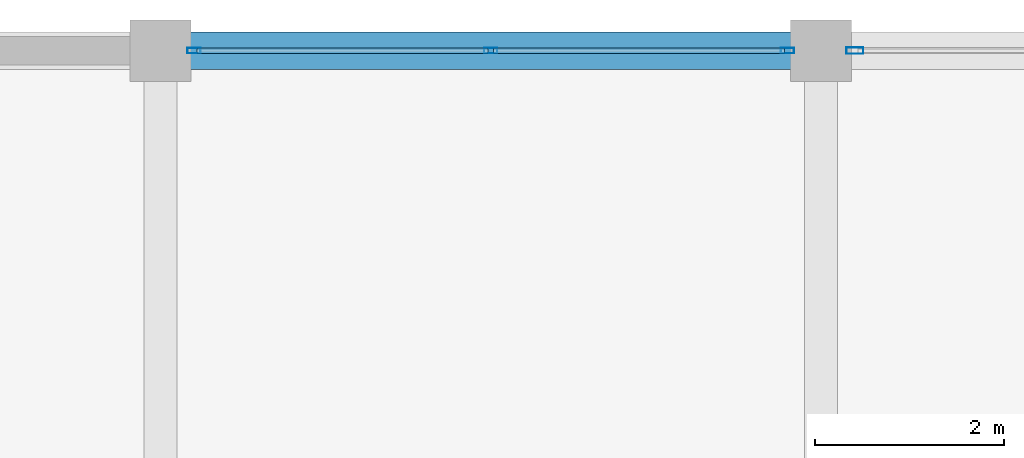
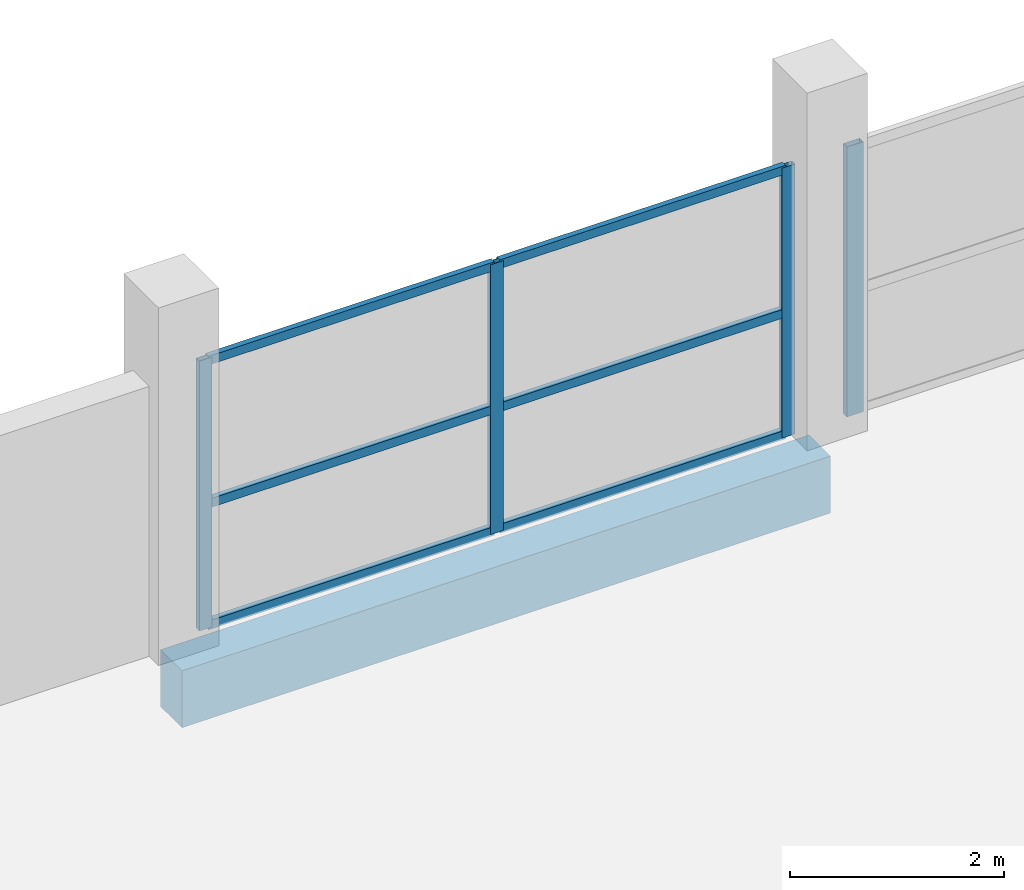
# One storey, part 37 of 53: 10 members, 1 beam, 2 elements without a shape of their own.
"""IFC4 building model written with IfcOpenShell, lengths in metres."""

from ifc_helpers import new_model, si_unit, direction, frame, origin, origin_2d, place, context, subcontext, project, spatial, rectangle, hollow_rectangle, extrude, material, layer, layer_set, material_profile, profile_set, type_object, element, aggregate, save


model = new_model("IFC4")

# Units and contexts
model_context = context("Model", 3, precision=1e-05, world=origin(), true_north=direction((0.0, 1.0)))
body_context = subcontext(model_context, "Body", "Model", "MODEL_VIEW")
ifc_project = project(units=[si_unit("LENGTHUNIT", "METRE"), si_unit("AREAUNIT", "SQUARE_METRE"), si_unit("VOLUMEUNIT", "CUBIC_METRE"), si_unit("PLANEANGLEUNIT", "RADIAN"), si_unit("MASSUNIT", "GRAM", prefix="KILO")], contexts=[model_context])

# Site, building, storey
site_placement = place(None, origin())
site = spatial("IfcSite", under=ifc_project, at=site_placement, CompositionType="ELEMENT")
building_placement = place(site_placement, origin())
building = spatial("IfcBuilding", under=site, at=building_placement, Name="Sillaruma Civic Art Gallery", CompositionType="ELEMENT")
storey_placement = place(building_placement, frame((0.0, 0.0, 70.3798828125)))
storey = spatial("IfcBuildingStorey", under=building, at=storey_placement, Name="L14", CompositionType="ELEMENT", Elevation=70.3798828125)

# Beam
ifc_material_1 = material(Name="Concrete H35 (35 MPa)", Category="concrete")
ifc_material_profile_1 = material_profile(ifc_material_1, rectangle(XDim=0.39990234375, YDim=0.64990234375, at=origin_2d()), Name="RCB400x650")
ifc_profile_set_1 = profile_set([ifc_material_profile_1], Name="Concrete H35 (35 MPa)")
beam_type = type_object("IfcBeamType", Name="BM-SPANDREL-RCB400x650", PredefinedType="SPANDREL", material=ifc_profile_set_1)
beam_placement = place(storey_placement, frame((70.0, 99.0, -0.574951171875), z_axis=(1.0, 0.0, 0.0), x_axis=(0.0, 1.0, 0.0)))
element("IfcBeam", 1, at=beam_placement, inside=storey, type_object=beam_type, Name="Beam BS-02 (L13:11:G-H)", PredefinedType="SPANDREL", context=body_context, shape_type="SweptSolid", body=[
    extrude(rectangle(XDim=0.39990234375, YDim=0.64990234375, at=origin_2d()), origin(), (0.0, 0.0, 1.0), 7.0),
])

# Curtain wall, members
ifc_material_2 = material(Name="Thermally Broken Extruded Aluminium 6063-T6", Category="aluminium")
ifc_layer_1 = layer(ifc_material_2, 0.139892578125, Name="Thermally Broken Extruded Aluminium 6063-T6")
ifc_layer_set_1 = layer_set([ifc_layer_1], Name="Thermally Broken Extruded Aluminium 6063-T6")
curtain_wall_type_1 = type_object("IfcCurtainWallType", Name="CW-UNI-106", PredefinedType="NOTDEFINED", material=ifc_layer_set_1)
curtain_wall_1_placement = place(storey_placement, origin())
curtain_wall_1 = element("IfcCurtainWall", 2, at=curtain_wall_1_placement, inside=storey, type_object=curtain_wall_type_1, Name="Unitised Curtain Wall CW-106 (CW-L14-WBN-2)", PredefinedType="NOTDEFINED")
ifc_material_profile_2 = material_profile(ifc_material_2, hollow_rectangle(XDim=0.06005859375, YDim=0.139892578125, WallThickness=0.00341796875, at=origin_2d()), Name="CWM60x140")
ifc_profile_set_2 = profile_set([ifc_material_profile_2], Name="Thermally Broken Extruded Aluminium 6063-T6")
member_type_1 = type_object("IfcMemberType", Name="MEM-MUL-CWM60x140", PredefinedType="MULLION", material=ifc_profile_set_2)
member_1_placement = place(storey_placement, frame((70.35498046875, 99.0, 0.0), z_axis=(0.0, 0.0, 1.0), x_axis=(0.0, 1.0, 0.0)))
member_1 = element("IfcMember", 3, at=member_1_placement, type_object=member_type_1, Name="CW-106 mullion 1", PredefinedType="MULLION", context=body_context, shape_type="SweptSolid", body=[
    extrude(hollow_rectangle(XDim=0.06005859375, YDim=0.139892578125, WallThickness=0.00341796875, at=origin_2d()), origin(), (0.0, 0.0, 1.0), 3.080078125),
])
member_2_placement = place(storey_placement, frame((73.5, 99.0, 0.0), z_axis=(0.0, 0.0, 1.0), x_axis=(0.0, 1.0, 0.0)))
member_2 = element("IfcMember", 4, at=member_2_placement, type_object=member_type_1, Name="CW-106 mullion 2", PredefinedType="MULLION", context=body_context, shape_type="SweptSolid", body=[
    extrude(hollow_rectangle(XDim=0.06005859375, YDim=0.139892578125, WallThickness=0.00341796875, at=origin_2d()), origin(), (0.0, 0.0, 1.0), 3.080078125),
])
member_3_placement = place(storey_placement, frame((76.64501953125, 99.0, 0.0), z_axis=(0.0, 0.0, 1.0), x_axis=(0.0, 1.0, 0.0)))
member_3 = element("IfcMember", 5, at=member_3_placement, type_object=member_type_1, Name="CW-106 mullion 3", PredefinedType="MULLION", context=body_context, shape_type="SweptSolid", body=[
    extrude(hollow_rectangle(XDim=0.06005859375, YDim=0.139892578125, WallThickness=0.00341796875, at=origin_2d()), origin(), (0.0, 0.0, 1.0), 3.080078125),
])

# Curtain wall, member
ifc_layer_2 = layer(ifc_material_2, 0.179931640625, Name="Thermally Broken Extruded Aluminium 6063-T6")
ifc_layer_set_2 = layer_set([ifc_layer_2], Name="Thermally Broken Extruded Aluminium 6063-T6")
curtain_wall_type_2 = type_object("IfcCurtainWallType", Name="CW-UNI-109", PredefinedType="NOTDEFINED", material=ifc_layer_set_2)
curtain_wall_2_placement = place(storey_placement, origin())
curtain_wall_2 = element("IfcCurtainWall", 6, at=curtain_wall_2_placement, inside=storey, type_object=curtain_wall_type_2, Name="Unitised Curtain Wall CW-109 (CW-L14-WBN-3)", PredefinedType="NOTDEFINED")
ifc_material_profile_3 = material_profile(ifc_material_2, hollow_rectangle(XDim=0.070068359375, YDim=0.179931640625, WallThickness=0.00390625, at=origin_2d()), Name="CWM70x180")
ifc_profile_set_3 = profile_set([ifc_material_profile_3], Name="Thermally Broken Extruded Aluminium 6063-T6")
member_type_2 = type_object("IfcMemberType", Name="MEM-MUL-CWM70x180", PredefinedType="MULLION", material=ifc_profile_set_3)
member_4_placement = place(storey_placement, frame((77.360107421875, 99.0, 0.0), z_axis=(0.0, 0.0, 1.0), x_axis=(0.0, 1.0, 0.0)))
member_4 = element("IfcMember", 7, at=member_4_placement, type_object=member_type_2, Name="CW-109 mullion 1", PredefinedType="MULLION", context=body_context, shape_type="SweptSolid", body=[
    extrude(hollow_rectangle(XDim=0.070068359375, YDim=0.179931640625, WallThickness=0.00390625, at=origin_2d()), origin(), (0.0, 0.0, 1.0), 3.080078125),
])
aggregate(curtain_wall_2, [member_4])

# Member
ifc_material_profile_4 = material_profile(ifc_material_2, hollow_rectangle(XDim=0.06005859375, YDim=0.10009765625, WallThickness=0.003173828125, at=origin_2d()), Name="CWT60x100")
ifc_profile_set_4 = profile_set([ifc_material_profile_4], Name="Thermally Broken Extruded Aluminium 6063-T6")
member_type_3 = type_object("IfcMemberType", Name="MEM-TRN-CWT60x100", PredefinedType="USERDEFINED", material=ifc_profile_set_4)
member_5_placement = place(storey_placement, frame((70.385009765625, 99.0, 0.030029296875), z_axis=(1.0, 0.0, 0.0), x_axis=(0.0, 1.0, 0.0)))
member_5 = element("IfcMember", 8, at=member_5_placement, type_object=member_type_3, Name="CW-106 transom 1.1", ObjectType="TRANSOM", PredefinedType="USERDEFINED", context=body_context, shape_type="SweptSolid", body=[
    extrude(hollow_rectangle(XDim=0.06005859375, YDim=0.10009765625, WallThickness=0.003173828125, at=origin_2d()), origin(), (0.0, 0.0, 1.0), 3.0849609375),
])

member_6_placement = place(storey_placement, frame((70.385009765625, 99.0, 1.4169921875), z_axis=(1.0, 0.0, 0.0), x_axis=(0.0, 1.0, 0.0)))
member_6 = element("IfcMember", 9, at=member_6_placement, type_object=member_type_3, Name="CW-106 transom 1.2", ObjectType="TRANSOM", PredefinedType="USERDEFINED", context=body_context, shape_type="SweptSolid", body=[
    extrude(hollow_rectangle(XDim=0.06005859375, YDim=0.10009765625, WallThickness=0.003173828125, at=origin_2d()), origin(), (0.0, 0.0, 1.0), 3.0849609375),
])

member_7_placement = place(storey_placement, frame((70.385009765625, 99.0, 3.050048828125), z_axis=(1.0, 0.0, 0.0), x_axis=(0.0, 1.0, 0.0)))
member_7 = element("IfcMember", 10, at=member_7_placement, type_object=member_type_3, Name="CW-106 transom 1.3", ObjectType="TRANSOM", PredefinedType="USERDEFINED", context=body_context, shape_type="SweptSolid", body=[
    extrude(hollow_rectangle(XDim=0.06005859375, YDim=0.10009765625, WallThickness=0.003173828125, at=origin_2d()), origin(), (0.0, 0.0, 1.0), 3.0849609375),
])

member_8_placement = place(storey_placement, frame((73.530029296875, 99.0, 0.030029296875), z_axis=(1.0, 0.0, 0.0), x_axis=(0.0, 1.0, 0.0)))
member_8 = element("IfcMember", 11, at=member_8_placement, type_object=member_type_3, Name="CW-106 transom 2.1", ObjectType="TRANSOM", PredefinedType="USERDEFINED", context=body_context, shape_type="SweptSolid", body=[
    extrude(hollow_rectangle(XDim=0.06005859375, YDim=0.10009765625, WallThickness=0.003173828125, at=origin_2d()), origin(), (0.0, 0.0, 1.0), 3.0849609375),
])

member_9_placement = place(storey_placement, frame((73.530029296875, 99.0, 1.4169921875), z_axis=(1.0, 0.0, 0.0), x_axis=(0.0, 1.0, 0.0)))
member_9 = element("IfcMember", 12, at=member_9_placement, type_object=member_type_3, Name="CW-106 transom 2.2", ObjectType="TRANSOM", PredefinedType="USERDEFINED", context=body_context, shape_type="SweptSolid", body=[
    extrude(hollow_rectangle(XDim=0.06005859375, YDim=0.10009765625, WallThickness=0.003173828125, at=origin_2d()), origin(), (0.0, 0.0, 1.0), 3.0849609375),
])

member_10_placement = place(storey_placement, frame((73.530029296875, 99.0, 3.050048828125), z_axis=(1.0, 0.0, 0.0), x_axis=(0.0, 1.0, 0.0)))
member_10 = element("IfcMember", 13, at=member_10_placement, type_object=member_type_3, Name="CW-106 transom 2.3", ObjectType="TRANSOM", PredefinedType="USERDEFINED", context=body_context, shape_type="SweptSolid", body=[
    extrude(hollow_rectangle(XDim=0.06005859375, YDim=0.10009765625, WallThickness=0.003173828125, at=origin_2d()), origin(), (0.0, 0.0, 1.0), 3.0849609375),
])

aggregate(curtain_wall_1, [member_1, member_2, member_3, member_5, member_6, member_7, member_8, member_9, member_10])

save(model, "model.ifc")
